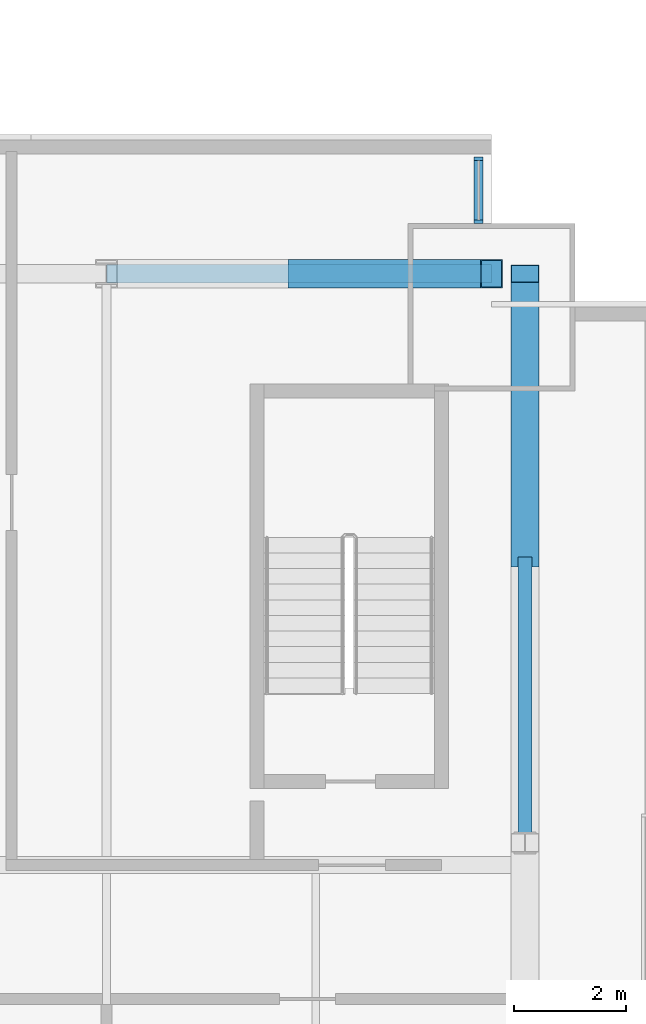
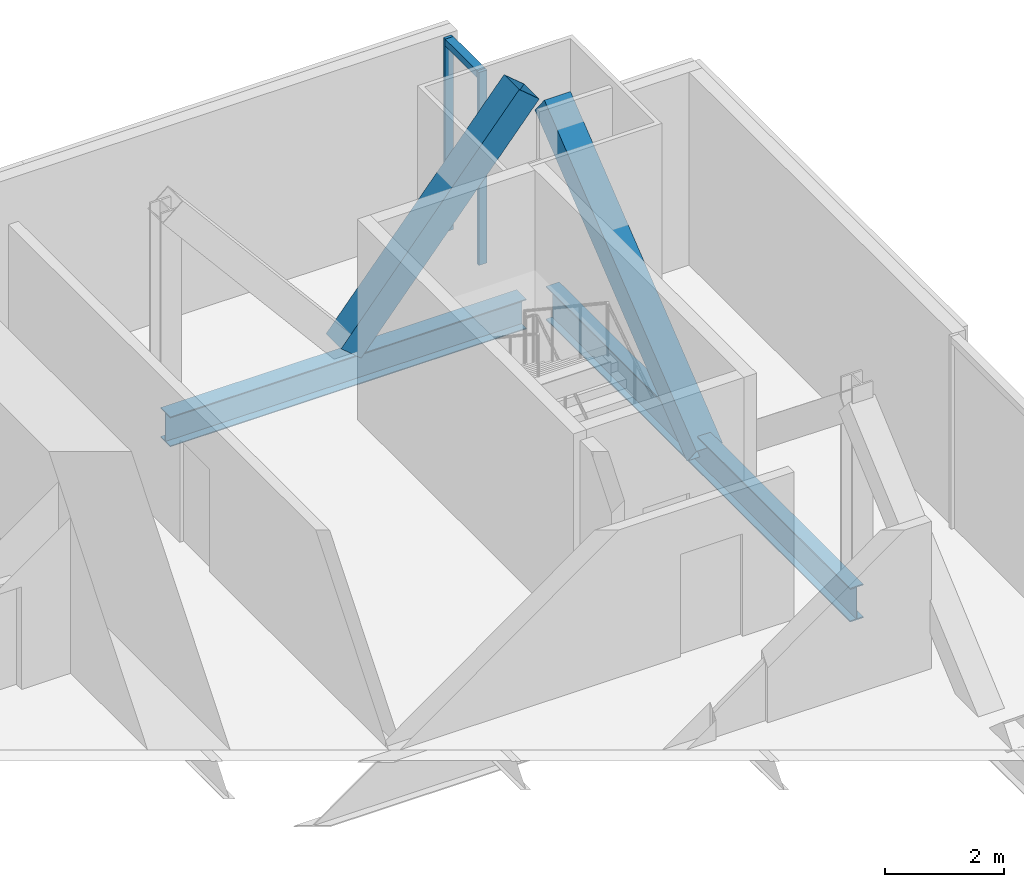
# One storey, part 13 of 21: 5 members, 2 beams, 1 element without a shape of its own.
"""IFC4 building model written with IfcOpenShell, lengths in metres."""

from ifc_helpers import new_model, si_unit, direction, frame, origin, origin_2d, place, context, subcontext, project, spatial, rectangle, hollow_rectangle, i_section, extrude, material, material_profile, profile_set, type_object, element, aggregate, save


model = new_model("IFC4")

# Units and contexts
model_context = context("Model", 3, precision=1e-05, world=origin(), true_north=direction((0.0, 1.0)))
body_context = subcontext(model_context, "Body", "Model", "MODEL_VIEW")
ifc_project = project(units=[si_unit("LENGTHUNIT", "METRE"), si_unit("AREAUNIT", "SQUARE_METRE"), si_unit("VOLUMEUNIT", "CUBIC_METRE"), si_unit("PLANEANGLEUNIT", "RADIAN"), si_unit("MASSUNIT", "GRAM", prefix="KILO")], contexts=[model_context])

# Site, building, storey
site_placement = place(None, origin())
site = spatial("IfcSite", under=ifc_project, at=site_placement, CompositionType="ELEMENT")
building_placement = place(site_placement, origin())
building = spatial("IfcBuilding", under=site, at=building_placement, Name="Bicima Exchange Tower", CompositionType="ELEMENT")
storey_placement = place(building_placement, frame((0.0, 0.0, 106.300048828125)))
storey = spatial("IfcBuildingStorey", under=building, at=storey_placement, Name="L22", CompositionType="ELEMENT", Elevation=106.300048828125)

# Beam
ifc_material_1 = material(Name="Steel ASTM A992 Gr 50", Category="steel")
ifc_material_profile_1 = material_profile(ifc_material_1, i_section(OverallWidth=0.256591796875, OverallDepth=0.693359375, WebThickness=0.014404296875, FlangeThickness=0.023681640625, at=origin_2d()))
ifc_profile_set_1 = profile_set([ifc_material_profile_1], Name="Steel ASTM A992 Gr 50")
beam_type_1 = type_object("IfcBeamType", Name="End girder W27x114", PredefinedType="BEAM", material=ifc_profile_set_1)
beam_1_placement = place(storey_placement, frame((33.60009765625, -2.39990234375, -0.496826171875), z_axis=(0.0, -1.0, 0.0), x_axis=(1.0, 0.0, 0.0)))
element("IfcBeam", 1, at=beam_1_placement, inside=storey, type_object=beam_type_1, Name="End girder", PredefinedType="BEAM", context=body_context, shape_type="SweptSolid", body=[
    extrude(i_section(OverallWidth=0.256591796875, OverallDepth=0.693359375, WebThickness=0.014404296875, FlangeThickness=0.023681640625, at=origin_2d()), origin(), (0.0, 0.0, 1.0), 10.2001953125),
])

# Curtain wall, members
ifc_material_2 = material(Name="Anodised bronze aluminium", Category="aluminium")
curtain_wall_type = type_object("IfcCurtainWallType", Name="Front glass wall", PredefinedType="NOTDEFINED", material=ifc_material_2)
curtain_wall_placement = place(storey_placement, origin())
curtain_wall = element("IfcCurtainWall", 2, at=curtain_wall_placement, inside=storey, type_object=curtain_wall_type, Name="Front glass wall L22 run 20", PredefinedType="NOTDEFINED")
ifc_material_profile_2 = material_profile(ifc_material_2, rectangle(XDim=0.159912109375, YDim=0.06005859375, at=origin_2d()))
ifc_profile_set_2 = profile_set([ifc_material_profile_2], Name="Anodised bronze aluminium")
member_type_1 = type_object("IfcMemberType", Name="Front glass wall mullion 60 x 160", PredefinedType="MULLION", material=ifc_profile_set_2)
member_1_placement = place(storey_placement, frame((32.77001953125, -1.469970703125, 0.0), z_axis=(0.0, 0.0, 1.0), x_axis=(-1.0, 0.0, 0.0)))
member_1 = element("IfcMember", 3, at=member_1_placement, type_object=member_type_1, Name="Front glass wall mullion 1", PredefinedType="MULLION", context=body_context, shape_type="SweptSolid", body=[
    extrude(rectangle(XDim=0.159912109375, YDim=0.06005859375, at=origin_2d()), origin(), (0.0, 0.0, 1.0), 3.949951171875),
])
member_2_placement = place(storey_placement, frame((32.77001953125, -0.340087890625, 0.0), z_axis=(0.0, 0.0, 1.0), x_axis=(-1.0, 0.0, 0.0)))
member_2 = element("IfcMember", 4, at=member_2_placement, type_object=member_type_1, Name="Front glass wall mullion 2", PredefinedType="MULLION", context=body_context, shape_type="SweptSolid", body=[
    extrude(rectangle(XDim=0.159912109375, YDim=0.06005859375, at=origin_2d()), origin(), (0.0, 0.0, 1.0), 3.949951171875),
])
ifc_material_profile_3 = material_profile(ifc_material_2, rectangle(XDim=0.159912109375, YDim=0.139892578125, at=origin_2d()))
ifc_profile_set_3 = profile_set([ifc_material_profile_3], Name="Anodised bronze aluminium")
member_type_2 = type_object("IfcMemberType", Name="Front glass wall transom 140 x 160", PredefinedType="USERDEFINED", material=ifc_profile_set_3)
member_3_placement = place(storey_placement, frame((32.77001953125, -1.43994140625, 3.8798828125), z_axis=(0.0, 1.0, 0.0), x_axis=(-1.0, 0.0, 0.0)))
member_3 = element("IfcMember", 5, at=member_3_placement, type_object=member_type_2, Name="Front glass wall transom 1.1", ObjectType="TRANSOM", PredefinedType="USERDEFINED", context=body_context, shape_type="SweptSolid", body=[
    extrude(rectangle(XDim=0.159912109375, YDim=0.139892578125, at=origin_2d()), origin(), (0.0, 0.0, 1.0), 1.06982421875),
])
aggregate(curtain_wall, [member_1, member_2, member_3])

# Members
ifc_material_3 = material(Name="Steel ASTM A572 Gr 50", Category="steel")
ifc_material_profile_4 = material_profile(ifc_material_3, hollow_rectangle(XDim=0.508056640625, YDim=0.508056640625, WallThickness=0.0146484375, at=origin_2d()))
ifc_profile_set_4 = profile_set([ifc_material_profile_4], Name="Steel ASTM A572 Gr 50")
member_type_3 = type_object("IfcMemberType", Name="Mega brace HSS20x20x5/8", PredefinedType="BRACE", material=ifc_profile_set_4)
member_4_placement = place(storey_placement, frame((29.550048828125, -2.39990234375, 0.0), z_axis=(0.643856488545, 0.0, 0.765146275008), x_axis=(0.0, 1.0, 0.0)))
element("IfcMember", 6, at=member_4_placement, inside=storey, type_object=member_type_3, Name="Mega brace rear", PredefinedType="BRACE", context=body_context, shape_type="SweptSolid", body=[
    extrude(hollow_rectangle(XDim=0.508056640625, YDim=0.508056640625, WallThickness=0.0146484375, at=origin_2d()), origin(), (0.0, 0.0, 1.0), 5.358154296875),
])
member_5_placement = place(storey_placement, frame((33.60009765625, -7.5, -0.496826171875), z_axis=(0.0, 0.779374241895, 0.626558689247), x_axis=(-1.0, 0.0, 0.0)))
element("IfcMember", 7, at=member_5_placement, inside=storey, type_object=member_type_3, Name="Mega brace east end", PredefinedType="BRACE", context=body_context, shape_type="SweptSolid", body=[
    extrude(hollow_rectangle(XDim=0.508056640625, YDim=0.508056640625, WallThickness=0.0146484375, at=origin_2d()), origin(), (0.0, 0.0, 1.0), 6.5439453125),
])

# Beam
ifc_material_profile_5 = material_profile(ifc_material_1, i_section(OverallWidth=0.3251953125, OverallDepth=0.612060546875, WebThickness=0.0126953125, FlangeThickness=0.01904296875, at=origin_2d()))
ifc_profile_set_5 = profile_set([ifc_material_profile_5], Name="Steel ASTM A992 Gr 50")
beam_type_2 = type_object("IfcBeamType", Name="Rear girder W24x104", PredefinedType="BEAM", material=ifc_profile_set_5)
beam_2_placement = place(storey_placement, frame((26.10009765625, -2.39990234375, -0.4560546875), z_axis=(1.0, 0.0, 0.0), x_axis=(0.0, 1.0, 0.0)))
element("IfcBeam", 8, at=beam_2_placement, inside=storey, type_object=beam_type_2, Name="Rear girder", PredefinedType="BEAM", context=body_context, shape_type="SweptSolid", body=[
    extrude(i_section(OverallWidth=0.3251953125, OverallDepth=0.612060546875, WebThickness=0.0126953125, FlangeThickness=0.01904296875, at=origin_2d()), origin(), (0.0, 0.0, 1.0), 6.89990234375),
])

save(model, "model.ifc")
